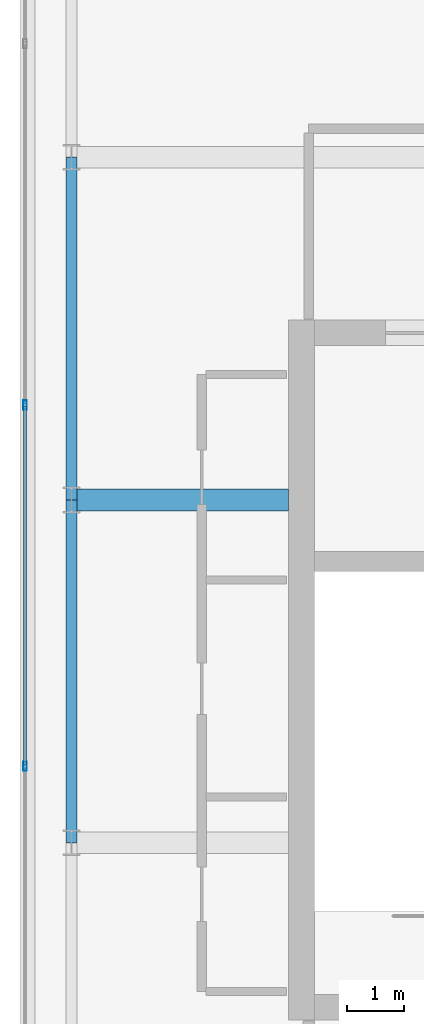
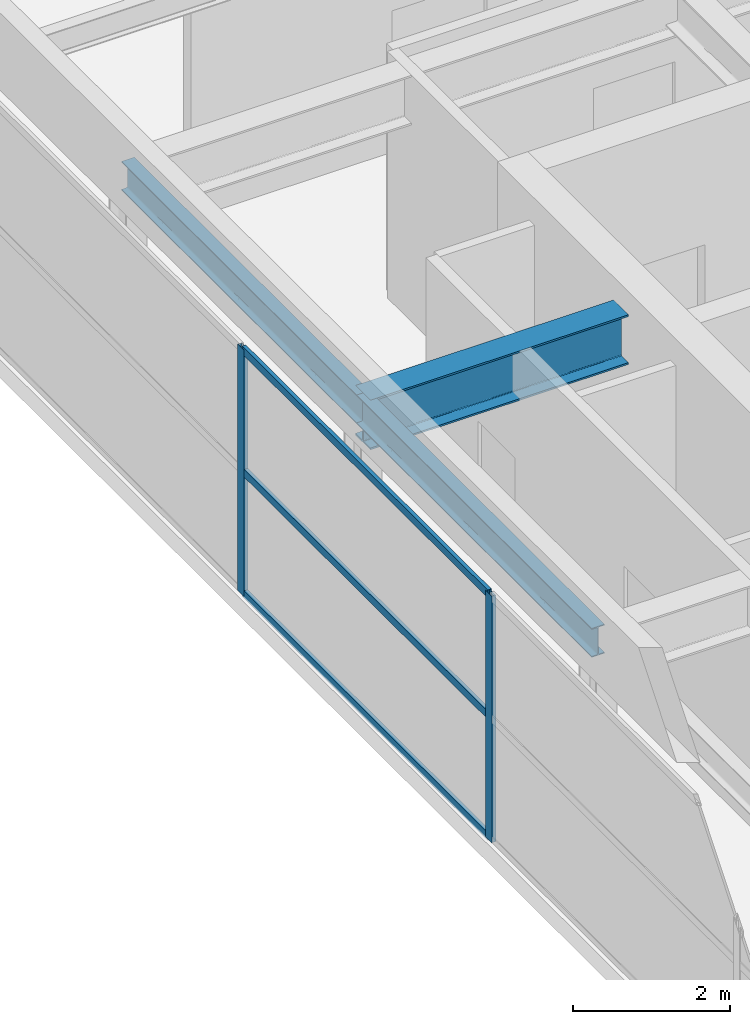
# One storey, part 11 of 33: 5 members, 3 beams, 1 element without a shape of its own.
"""IFC4 building model written with IfcOpenShell, lengths in metres."""

from ifc_helpers import new_model, si_unit, direction, frame, origin, origin_2d, place, context, subcontext, project, spatial, hollow_rectangle, i_section, extrude, source, transform, mapped, material, layer, layer_set, material_profile, profile_set, type_object, element, aggregate, save


model = new_model("IFC4")

# Units and contexts
model_context = context("Model", 3, precision=1e-05, world=origin(), true_north=direction((0.0, 1.0)))
body_context = subcontext(model_context, "Body", "Model", "MODEL_VIEW")
ifc_project = project(units=[si_unit("LENGTHUNIT", "METRE"), si_unit("AREAUNIT", "SQUARE_METRE"), si_unit("VOLUMEUNIT", "CUBIC_METRE"), si_unit("PLANEANGLEUNIT", "RADIAN"), si_unit("MASSUNIT", "GRAM", prefix="KILO")], contexts=[model_context])

# Site, building, storey
site_placement = place(None, origin())
site = spatial("IfcSite", under=ifc_project, at=site_placement, CompositionType="ELEMENT")
building_placement = place(site_placement, origin())
building = spatial("IfcBuilding", under=site, at=building_placement, Name="Khoralis Quay Care Tower", CompositionType="ELEMENT")
storey_placement = place(building_placement, frame((0.0, 0.0, 314.699951171875)))
storey = spatial("IfcBuildingStorey", under=building, at=storey_placement, Name="L82", CompositionType="ELEMENT", Elevation=314.699951171875)

# Beams
ifc_material_1 = material(Name="Steel S355", Category="steel")
ifc_material_profile_1 = material_profile(ifc_material_1, i_section(OverallWidth=0.18994140625, OverallDepth=0.449951171875, WebThickness=0.009521484375, FlangeThickness=0.0146484375, FilletRadius=0.02099609375, at=origin_2d()), Name="Steel S355")
ifc_profile_set_1 = profile_set([ifc_material_profile_1], Name="Steel S355")
beam_type_1 = type_object("IfcBeamType", Name="BM-IPE450", PredefinedType="SPANDREL", material=ifc_profile_set_1)
shared_shape_1 = source(origin(), body_context, "Body", "SweptSolid", [
    extrude(i_section(OverallWidth=0.18994140625, OverallDepth=0.449951171875, WebThickness=0.009521484375, FlangeThickness=0.0146484375, FilletRadius=0.02099609375, at=origin_2d()), origin(), (0.0, 0.0, 1.0), 6.0),
])
for number, where, z_axis, x_axis, name in (
    (1, (3.89990234375, 18.0, 3.614990234375), (0.0, 1.0, 0.0), (-1.0, 0.0, 0.0), "BM-TSP-L82-10"),
    (2, (3.89990234375, 24.0, 3.614990234375), (0.0, 1.0, 0.0), (-1.0, 0.0, 0.0), "BM-TSP-L82-11"),
):
    element("IfcBeam", number, at=place(storey_placement, frame(where, z_axis=z_axis, x_axis=x_axis)), inside=storey, type_object=beam_type_1, Name=name, PredefinedType="SPANDREL", context=body_context, shape_type="MappedRepresentation", body=[
        mapped(shared_shape_1, transform((0.0, 0.0, 0.0), scale=1.0)),
    ])
ifc_material_profile_2 = material_profile(ifc_material_1, i_section(OverallWidth=0.381103515625, OverallDepth=0.77294921875, WebThickness=0.0166015625, FlangeThickness=0.027587890625, FilletRadius=0.02197265625, at=origin_2d()), Name="Steel S355")
ifc_profile_set_2 = profile_set([ifc_material_profile_2], Name="Steel S355")
beam_type_2 = type_object("IfcBeamType", Name="BM-W760X257", PredefinedType="BEAM", material=ifc_profile_set_2)
shared_shape_2 = source(origin(), body_context, "Body", "SweptSolid", [
    extrude(i_section(OverallWidth=0.381103515625, OverallDepth=0.77294921875, WebThickness=0.0166015625, FlangeThickness=0.027587890625, FilletRadius=0.02197265625, at=origin_2d()), origin(), (0.0, 0.0, 1.0), 3.802001953125),
])
beam_placement = place(storey_placement, frame((3.89990234375, 24.0, 3.45361328125), z_axis=(1.0, 0.0, 0.0), x_axis=(0.0, 1.0, 0.0)))
element("IfcBeam", 3, at=beam_placement, inside=storey, type_object=beam_type_2, Name="BM-TGXW-L82-240", PredefinedType="BEAM", context=body_context, shape_type="MappedRepresentation", body=[
    mapped(shared_shape_2, transform((0.0, 0.0, 0.0), scale=1.0)),
])

# Curtain wall, members
ifc_material_2 = material(Name="Pale anodised aluminium", Category="aluminium")
ifc_layer = layer(ifc_material_2, 0.199951171875)
ifc_layer_set = layer_set([ifc_layer], Name="Pale anodised aluminium")
curtain_wall_type = type_object("IfcCurtainWallType", Name="CW-SYS-LANTERN", PredefinedType="NOTDEFINED", material=ifc_layer_set)
curtain_wall_placement = place(storey_placement, origin())
curtain_wall = element("IfcCurtainWall", 4, at=curtain_wall_placement, inside=storey, type_object=curtain_wall_type, Name="L82 Unitised Curtain Wall CW-LN-L82-16", PredefinedType="NOTDEFINED")
ifc_material_profile_3 = material_profile(ifc_material_2, hollow_rectangle(XDim=0.054931640625, YDim=0.1201171875, WallThickness=0.00390625, at=origin_2d()), Name="Pale anodised aluminium")
ifc_profile_set_3 = profile_set([ifc_material_profile_3], Name="Pale anodised aluminium")
member_type_1 = type_object("IfcMemberType", Name="CW-TRN-120", PredefinedType="USERDEFINED", material=ifc_profile_set_3)
shared_shape_3 = source(origin(), body_context, "Body", "SweptSolid", [
    extrude(hollow_rectangle(XDim=0.054931640625, YDim=0.1201171875, WallThickness=0.00390625, at=origin_2d()), origin(), (0.0, 0.0, 1.0), 6.26416015625),
])
member_1_placement = place(storey_placement, frame((3.090087890625, 25.632080078125, 0.030029296875), z_axis=(0.0, -1.0, 0.0), x_axis=(1.0, 0.0, 0.0)))
member_1 = element("IfcMember", 5, at=member_1_placement, type_object=member_type_1, Name="CW5 transom 3.1", ObjectType="TRANSOM", PredefinedType="USERDEFINED", context=body_context, shape_type="MappedRepresentation", body=[
    mapped(shared_shape_3, transform((0.0, 0.0, 0.0), scale=1.0)),
])
member_2_placement = place(storey_placement, frame((3.090087890625, 25.632080078125, 1.920166015625), z_axis=(0.0, -1.0, 0.0), x_axis=(1.0, 0.0, 0.0)))
member_2 = element("IfcMember", 6, at=member_2_placement, type_object=member_type_1, Name="CW5 transom 3.2", ObjectType="TRANSOM", PredefinedType="USERDEFINED", context=body_context, shape_type="MappedRepresentation", body=[
    mapped(shared_shape_3, transform((0.0, 0.0, 0.0), scale=1.0)),
])
member_3_placement = place(storey_placement, frame((3.090087890625, 25.632080078125, 3.81005859375), z_axis=(0.0, -1.0, 0.0), x_axis=(1.0, 0.0, 0.0)))
member_3 = element("IfcMember", 7, at=member_3_placement, type_object=member_type_1, Name="CW5 transom 3.3", ObjectType="TRANSOM", PredefinedType="USERDEFINED", context=body_context, shape_type="MappedRepresentation", body=[
    mapped(shared_shape_3, transform((0.0, 0.0, 0.0), scale=1.0)),
])
ifc_material_profile_4 = material_profile(ifc_material_2, hollow_rectangle(XDim=0.06005859375, YDim=0.159912109375, WallThickness=0.00390625, at=origin_2d()), Name="Pale anodised aluminium")
ifc_profile_set_4 = profile_set([ifc_material_profile_4], Name="Pale anodised aluminium")
member_type_2 = type_object("IfcMemberType", Name="CW-MUL-160", PredefinedType="MULLION", material=ifc_profile_set_4)
shared_shape_4 = source(origin(), body_context, "Body", "SweptSolid", [
    extrude(hollow_rectangle(XDim=0.06005859375, YDim=0.159912109375, WallThickness=0.00390625, at=origin_2d()), origin(), (0.0, 0.0, 1.0), 3.840087890625),
])
member_4_placement = place(storey_placement, frame((3.090087890625, 25.662109375, 0.0), z_axis=(0.0, 0.0, 1.0), x_axis=(1.0, 0.0, 0.0)))
member_4 = element("IfcMember", 8, at=member_4_placement, type_object=member_type_2, Name="CW5 mullion 3", PredefinedType="MULLION", context=body_context, shape_type="MappedRepresentation", body=[
    mapped(shared_shape_4, transform((0.0, 0.0, 0.0), scale=1.0)),
])
member_5_placement = place(storey_placement, frame((3.090087890625, 19.337890625, 0.0), z_axis=(0.0, 0.0, 1.0), x_axis=(1.0, 0.0, 0.0)))
member_5 = element("IfcMember", 9, at=member_5_placement, type_object=member_type_2, Name="CW5 mullion 4", PredefinedType="MULLION", context=body_context, shape_type="MappedRepresentation", body=[
    mapped(shared_shape_4, transform((0.0, 0.0, 0.0), scale=1.0)),
])
aggregate(curtain_wall, [member_4, member_5, member_1, member_2, member_3])

save(model, "model.ifc")
